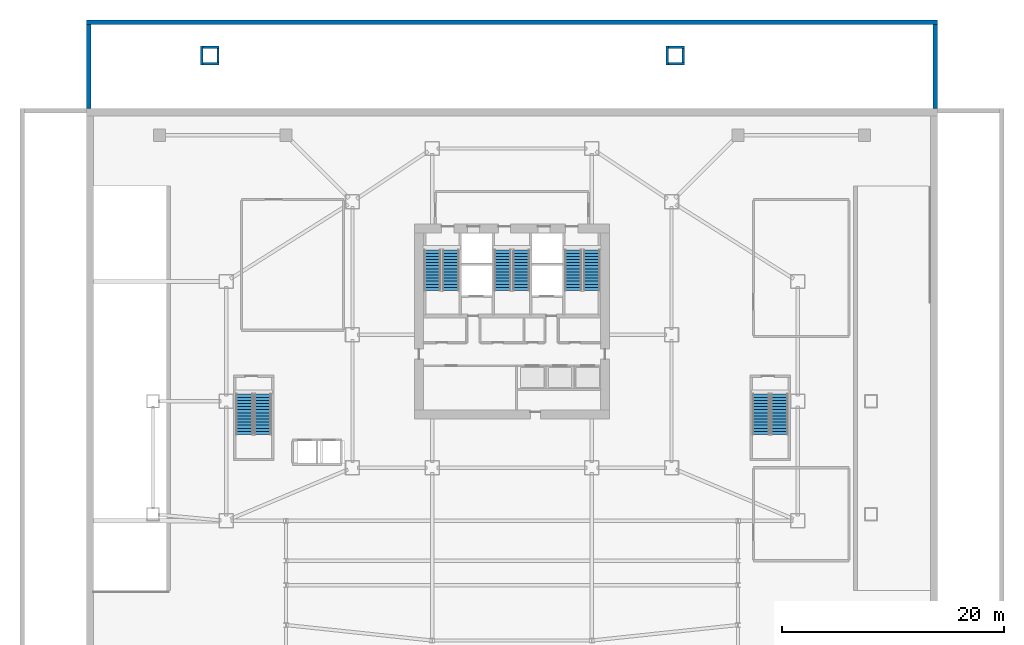
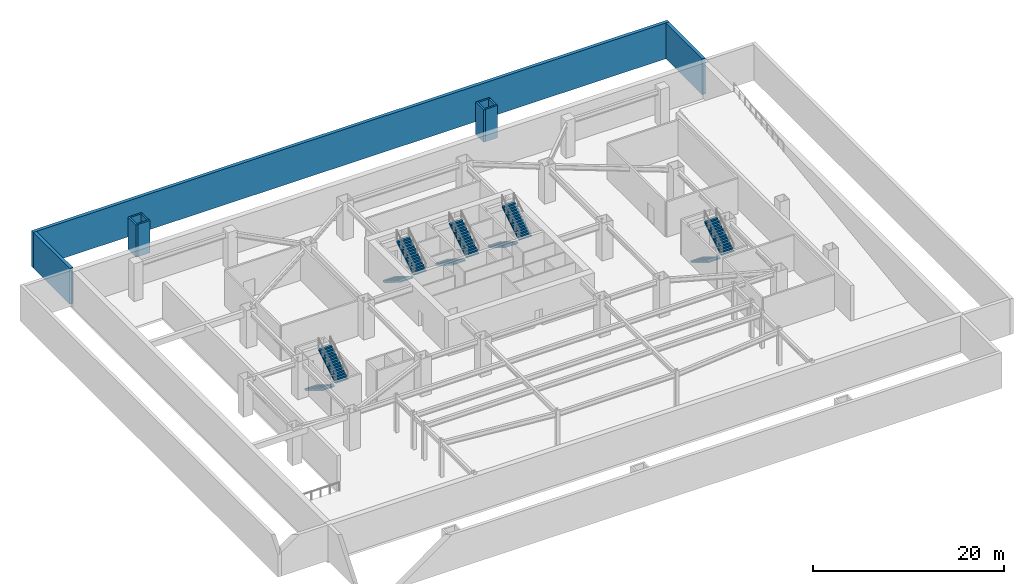
# One storey, part 11 of 15: 11 walls, 10 stair flights, 5 elements without a shape of their own.
"""IFC4 building model written with IfcOpenShell, lengths in metres."""

from ifc_helpers import new_model, si_unit, direction, frame, frame_2d, origin, place, context, subcontext, project, spatial, polyline, rectangle, outline, extrude, material, layer, layer_set, type_object, element, aggregate, save


model = new_model("IFC4")

# Units and contexts
model_context = context("Model", 3, precision=1e-05, world=origin(), true_north=direction((0.0, 1.0)))
body_context = subcontext(model_context, "Body", "Model", "MODEL_VIEW")
ifc_project = project(units=[si_unit("LENGTHUNIT", "METRE"), si_unit("AREAUNIT", "SQUARE_METRE"), si_unit("VOLUMEUNIT", "CUBIC_METRE"), si_unit("PLANEANGLEUNIT", "RADIAN"), si_unit("MASSUNIT", "GRAM", prefix="KILO")], contexts=[model_context])

# Site, building, storey
site_placement = place(None, origin())
site = spatial("IfcSite", under=ifc_project, at=site_placement, CompositionType="ELEMENT")
building_placement = place(site_placement, origin())
building = spatial("IfcBuilding", under=site, at=building_placement, Name="Haolan Belvedere Tower", CompositionType="ELEMENT")
storey_placement = place(building_placement, frame((0.0, 0.0, -4.800048828125)))
storey = spatial("IfcBuildingStorey", under=building, at=storey_placement, Name="B1", CompositionType="ELEMENT", Elevation=-4.800048828125)

# Walls
ifc_material_1 = material(Name="Concrete C50/60", Category="concrete")
ifc_layer_1 = layer(ifc_material_1, 0.39990234375, Name="Concrete C50/60")
ifc_layer_set_1 = layer_set([ifc_layer_1], Name="Concrete C50/60")
wall_type_1 = type_object("IfcWallType", Name="WL-RMP-400", PredefinedType="SOLIDWALL", material=ifc_layer_set_1)
wall_1_placement = place(storey_placement, frame((0.0, 61.800048828125, 0.0), z_axis=(0.0, 0.0, 1.0), x_axis=(1.0, 0.0, 0.0)))
element("IfcWall", 1, at=wall_1_placement, inside=storey, type_object=wall_type_1, Name="B1 apron support wall APW-N-OUT", PredefinedType="SOLIDWALL", context=body_context, shape_type="SweptSolid", body=[
    extrude(rectangle(XDim=76.800048828125, YDim=0.39990234375, at=frame_2d((38.39990234375, 0.0))), origin(), (0.0, 0.0, 1.0), 4.570068359375),
])
for number, where, z_axis, x_axis, name in (
    (2, (0.199951171875, 54.0, 0.0), (0.0, 0.0, 1.0), (0.0, 1.0, 0.0), "B1 apron support wall APW-N-W"),
    (3, (76.60009765625, 54.0, 0.0), (0.0, 0.0, 1.0), (0.0, 1.0, 0.0), "B1 apron support wall APW-N-E"),
):
    element("IfcWall", number, at=place(storey_placement, frame(where, z_axis=z_axis, x_axis=x_axis)), inside=storey, type_object=wall_type_1, Name=name, PredefinedType="SOLIDWALL", context=body_context, shape_type="SweptSolid", body=[
        extrude(rectangle(XDim=7.60009765625, YDim=0.39990234375, at=frame_2d((3.800048828125, 0.0))), origin(), (0.0, 0.0, 1.0), 4.570068359375),
    ])
ifc_layer_2 = layer(ifc_material_1, 0.219970703125, Name="Concrete C50/60")
ifc_layer_set_2 = layer_set([ifc_layer_2], Name="Concrete C50/60")
wall_type_2 = type_object("IfcWallType", Name="WL-STAIR-220", PredefinedType="SHEAR", material=ifc_layer_set_2)
wall_2_placement = place(storey_placement, frame((10.39990234375, 57.93994140625, 0.0), z_axis=(0.0, 0.0, 1.0), x_axis=(0.0, 1.0, 0.0)))
element("IfcWall", 4, at=wall_2_placement, inside=storey, type_object=wall_type_2, Name="North-west concourse step-free accessible ramp AR-3 foundation stem wall B1 W", PredefinedType="SHEAR", context=body_context, shape_type="SweptSolid", body=[
    extrude(rectangle(XDim=1.719970703125, YDim=0.219970703125, at=frame_2d((0.85986328125, 0.0))), origin(), (0.0, 0.0, 1.0), 4.1201171875),
])
for number, where, z_axis, x_axis, name in (
    (5, (10.510009765625, 59.550048828125, 0.0), (0.0, 0.0, 1.0), (1.0, 0.0, 0.0), "North-west concourse step-free accessible ramp AR-3 foundation stem wall B1 N"),
    (6, (10.510009765625, 58.050048828125, 0.0), (0.0, 0.0, 1.0), (1.0, 0.0, 0.0), "North-west concourse step-free accessible ramp AR-3 foundation stem wall B1 S"),
):
    element("IfcWall", number, at=place(storey_placement, frame(where, z_axis=z_axis, x_axis=x_axis)), inside=storey, type_object=wall_type_2, Name=name, PredefinedType="SHEAR", context=body_context, shape_type="SweptSolid", body=[
        extrude(rectangle(XDim=1.469970703125, YDim=0.219970703125, at=frame_2d((0.73486328125, 0.0))), origin(), (0.0, 0.0, 1.0), 4.1201171875),
    ])
wall_3_placement = place(storey_placement, frame((11.8701171875, 58.159912109375, 0.0), z_axis=(0.0, 0.0, 1.0), x_axis=(0.0, 1.0, 0.0)))
element("IfcWall", 7, at=wall_3_placement, inside=storey, type_object=wall_type_2, Name="North-west concourse step-free accessible ramp AR-3 foundation stem wall B1 E", PredefinedType="SHEAR", context=body_context, shape_type="SweptSolid", body=[
    extrude(rectangle(XDim=1.280029296875, YDim=0.219970703125, at=frame_2d((0.64013671875, 0.0))), origin(), (0.0, 0.0, 1.0), 4.1201171875),
])
wall_4_placement = place(storey_placement, frame((52.39990234375, 57.93994140625, 0.0), z_axis=(0.0, 0.0, 1.0), x_axis=(0.0, 1.0, 0.0)))
element("IfcWall", 8, at=wall_4_placement, inside=storey, type_object=wall_type_2, Name="North-east concourse step-free accessible ramp AR-4 foundation stem wall B1 W", PredefinedType="SHEAR", context=body_context, shape_type="SweptSolid", body=[
    extrude(rectangle(XDim=1.719970703125, YDim=0.219970703125, at=frame_2d((0.85986328125, 0.0))), origin(), (0.0, 0.0, 1.0), 4.1201171875),
])
for number, where, z_axis, x_axis, name in (
    (9, (52.510009765625, 59.550048828125, 0.0), (0.0, 0.0, 1.0), (1.0, 0.0, 0.0), "North-east concourse step-free accessible ramp AR-4 foundation stem wall B1 N"),
    (10, (52.510009765625, 58.050048828125, 0.0), (0.0, 0.0, 1.0), (1.0, 0.0, 0.0), "North-east concourse step-free accessible ramp AR-4 foundation stem wall B1 S"),
):
    element("IfcWall", number, at=place(storey_placement, frame(where, z_axis=z_axis, x_axis=x_axis)), inside=storey, type_object=wall_type_2, Name=name, PredefinedType="SHEAR", context=body_context, shape_type="SweptSolid", body=[
        extrude(rectangle(XDim=1.469970703125, YDim=0.219970703125, at=frame_2d((0.73486328125, 0.0))), origin(), (0.0, 0.0, 1.0), 4.1201171875),
    ])
wall_5_placement = place(storey_placement, frame((53.8701171875, 58.159912109375, 0.0), z_axis=(0.0, 0.0, 1.0), x_axis=(0.0, 1.0, 0.0)))
element("IfcWall", 11, at=wall_5_placement, inside=storey, type_object=wall_type_2, Name="North-east concourse step-free accessible ramp AR-4 foundation stem wall B1 E", PredefinedType="SHEAR", context=body_context, shape_type="SweptSolid", body=[
    extrude(rectangle(XDim=1.280029296875, YDim=0.219970703125, at=frame_2d((0.64013671875, 0.0))), origin(), (0.0, 0.0, 1.0), 4.1201171875),
])

# Stair, stair flights
ifc_material_2 = material(Name="Concrete C40/50", Category="concrete")
stair_type = type_object("IfcStairType", Name="STR-DL-28R-171", PredefinedType="HALF_TURN_STAIR", material=ifc_material_2)
stair_1_placement = place(storey_placement, origin())
stair_1 = element("IfcStair", 12, at=stair_1_placement, inside=storey, type_object=stair_type, Name="B1 Smokeproof Core Exit Stair ST1", PredefinedType="HALF_TURN_STAIR")
stair_flight_type = type_object("IfcStairFlightType", Name="SFL-DL-14R-171", PredefinedType="STRAIGHT", material=ifc_material_2)
stair_flight_1_placement = place(storey_placement, frame((31.2099609375, 41.22998046875, 0.0), z_axis=(0.0, 0.0, 1.0), x_axis=(0.0, -1.0, 0.0)))
stair_flight_1 = element("IfcStairFlight", 13, at=stair_flight_1_placement, type_object=stair_flight_type, Name="ST1 flight 1", NumberOfRisers=14, NumberOfTreads=13, PredefinedType="STRAIGHT", RiserHeight=0.171428571, TreadLength=0.28, context=body_context, shape_type="SweptSolid", body=[
    extrude(outline(polyline([(0.0, 0.0), (0.0, 0.17138671875), (0.280029296875, 0.17138671875), (0.280029296875, 0.3427734375), (0.56005859375, 0.3427734375), (0.56005859375, 0.514404296875), (0.840087890625, 0.514404296875), (0.840087890625, 0.685791015625), (1.1201171875, 0.685791015625), (1.1201171875, 0.857177734375), (1.39990234375, 0.857177734375), (1.39990234375, 1.028564453125), (1.679931640625, 1.028564453125), (1.679931640625, 1.199951171875), (1.9599609375, 1.199951171875), (1.9599609375, 1.371337890625), (2.239990234375, 1.371337890625), (2.239990234375, 1.54296875), (2.52001953125, 1.54296875), (2.52001953125, 1.71435546875), (2.800048828125, 1.71435546875), (2.800048828125, 1.8857421875), (3.080078125, 1.8857421875), (3.080078125, 2.05712890625), (3.360107421875, 2.05712890625), (3.360107421875, 2.228515625), (3.639892578125, 2.228515625), (3.639892578125, 2.39990234375), (3.639892578125, 2.052734375), (0.287109375, 0.0), (0.0, 0.0)])), frame((0.0, 0.760009765625, 0.0), z_axis=(0.0, -1.0, 0.0), x_axis=(1.0, 0.0, 0.0)), (0.0, 0.0, 1.0), 1.52001953125),
])
stair_flight_2_placement = place(storey_placement, frame((32.8701171875, 37.590087890625, 2.400146484375), z_axis=(0.0, 0.0, 1.0), x_axis=(0.0, 1.0, 0.0)))
stair_flight_2 = element("IfcStairFlight", 14, at=stair_flight_2_placement, type_object=stair_flight_type, Name="ST1 flight 2", NumberOfRisers=14, NumberOfTreads=13, PredefinedType="STRAIGHT", RiserHeight=0.171428571, TreadLength=0.28, context=body_context, shape_type="SweptSolid", body=[
    extrude(outline(polyline([(0.0, 0.0), (0.0, 0.17138671875), (0.280029296875, 0.17138671875), (0.280029296875, 0.3427734375), (0.56005859375, 0.3427734375), (0.56005859375, 0.514404296875), (0.840087890625, 0.514404296875), (0.840087890625, 0.685791015625), (1.1201171875, 0.685791015625), (1.1201171875, 0.857177734375), (1.39990234375, 0.857177734375), (1.39990234375, 1.028564453125), (1.679931640625, 1.028564453125), (1.679931640625, 1.199951171875), (1.9599609375, 1.199951171875), (1.9599609375, 1.371337890625), (2.239990234375, 1.371337890625), (2.239990234375, 1.54296875), (2.52001953125, 1.54296875), (2.52001953125, 1.71435546875), (2.800048828125, 1.71435546875), (2.800048828125, 1.8857421875), (3.080078125, 1.8857421875), (3.080078125, 2.05712890625), (3.360107421875, 2.05712890625), (3.360107421875, 2.228515625), (3.639892578125, 2.228515625), (3.639892578125, 2.39990234375), (3.639892578125, 2.052734375), (0.287109375, 0.0), (0.0, 0.0)])), frame((0.0, 0.760009765625, 0.0), z_axis=(0.0, -1.0, 0.0), x_axis=(1.0, 0.0, 0.0)), (0.0, 0.0, 1.0), 1.52001953125),
])
aggregate(stair_1, [stair_flight_1, stair_flight_2])

stair_2_placement = place(storey_placement, origin())
stair_2 = element("IfcStair", 15, at=stair_2_placement, inside=storey, type_object=stair_type, Name="B1 Smokeproof Core Exit Stair ST3", PredefinedType="HALF_TURN_STAIR")
stair_flight_3_placement = place(storey_placement, frame((37.570068359375, 41.22998046875, 0.0), z_axis=(0.0, 0.0, 1.0), x_axis=(0.0, -1.0, 0.0)))
stair_flight_3 = element("IfcStairFlight", 16, at=stair_flight_3_placement, type_object=stair_flight_type, Name="ST3 flight 1", NumberOfRisers=14, NumberOfTreads=13, PredefinedType="STRAIGHT", RiserHeight=0.171428571, TreadLength=0.28, context=body_context, shape_type="SweptSolid", body=[
    extrude(outline(polyline([(0.0, 0.0), (0.0, 0.17138671875), (0.280029296875, 0.17138671875), (0.280029296875, 0.3427734375), (0.56005859375, 0.3427734375), (0.56005859375, 0.514404296875), (0.840087890625, 0.514404296875), (0.840087890625, 0.685791015625), (1.1201171875, 0.685791015625), (1.1201171875, 0.857177734375), (1.39990234375, 0.857177734375), (1.39990234375, 1.028564453125), (1.679931640625, 1.028564453125), (1.679931640625, 1.199951171875), (1.9599609375, 1.199951171875), (1.9599609375, 1.371337890625), (2.239990234375, 1.371337890625), (2.239990234375, 1.54296875), (2.52001953125, 1.54296875), (2.52001953125, 1.71435546875), (2.800048828125, 1.71435546875), (2.800048828125, 1.8857421875), (3.080078125, 1.8857421875), (3.080078125, 2.05712890625), (3.360107421875, 2.05712890625), (3.360107421875, 2.228515625), (3.639892578125, 2.228515625), (3.639892578125, 2.39990234375), (3.639892578125, 2.052734375), (0.287109375, 0.0), (0.0, 0.0)])), frame((0.0, 0.760009765625, 0.0), z_axis=(0.0, -1.0, 0.0), x_axis=(1.0, 0.0, 0.0)), (0.0, 0.0, 1.0), 1.52001953125),
])
stair_flight_4_placement = place(storey_placement, frame((39.22998046875, 37.590087890625, 2.400146484375), z_axis=(0.0, 0.0, 1.0), x_axis=(0.0, 1.0, 0.0)))
stair_flight_4 = element("IfcStairFlight", 17, at=stair_flight_4_placement, type_object=stair_flight_type, Name="ST3 flight 2", NumberOfRisers=14, NumberOfTreads=13, PredefinedType="STRAIGHT", RiserHeight=0.171428571, TreadLength=0.28, context=body_context, shape_type="SweptSolid", body=[
    extrude(outline(polyline([(0.0, 0.0), (0.0, 0.17138671875), (0.280029296875, 0.17138671875), (0.280029296875, 0.3427734375), (0.56005859375, 0.3427734375), (0.56005859375, 0.514404296875), (0.840087890625, 0.514404296875), (0.840087890625, 0.685791015625), (1.1201171875, 0.685791015625), (1.1201171875, 0.857177734375), (1.39990234375, 0.857177734375), (1.39990234375, 1.028564453125), (1.679931640625, 1.028564453125), (1.679931640625, 1.199951171875), (1.9599609375, 1.199951171875), (1.9599609375, 1.371337890625), (2.239990234375, 1.371337890625), (2.239990234375, 1.54296875), (2.52001953125, 1.54296875), (2.52001953125, 1.71435546875), (2.800048828125, 1.71435546875), (2.800048828125, 1.8857421875), (3.080078125, 1.8857421875), (3.080078125, 2.05712890625), (3.360107421875, 2.05712890625), (3.360107421875, 2.228515625), (3.639892578125, 2.228515625), (3.639892578125, 2.39990234375), (3.639892578125, 2.052734375), (0.287109375, 0.0), (0.0, 0.0)])), frame((0.0, 0.760009765625, 0.0), z_axis=(0.0, -1.0, 0.0), x_axis=(1.0, 0.0, 0.0)), (0.0, 0.0, 1.0), 1.52001953125),
])
aggregate(stair_2, [stair_flight_3, stair_flight_4])

stair_3_placement = place(storey_placement, origin())
stair_3 = element("IfcStair", 18, at=stair_3_placement, inside=storey, type_object=stair_type, Name="B1 Smokeproof Core Exit Stair ST2", PredefinedType="HALF_TURN_STAIR")
stair_flight_5_placement = place(storey_placement, frame((43.929931640625, 41.22998046875, 0.0), z_axis=(0.0, 0.0, 1.0), x_axis=(0.0, -1.0, 0.0)))
stair_flight_5 = element("IfcStairFlight", 19, at=stair_flight_5_placement, type_object=stair_flight_type, Name="ST2 flight 1", NumberOfRisers=14, NumberOfTreads=13, PredefinedType="STRAIGHT", RiserHeight=0.171428571, TreadLength=0.28, context=body_context, shape_type="SweptSolid", body=[
    extrude(outline(polyline([(0.0, 0.0), (0.0, 0.17138671875), (0.280029296875, 0.17138671875), (0.280029296875, 0.3427734375), (0.56005859375, 0.3427734375), (0.56005859375, 0.514404296875), (0.840087890625, 0.514404296875), (0.840087890625, 0.685791015625), (1.1201171875, 0.685791015625), (1.1201171875, 0.857177734375), (1.39990234375, 0.857177734375), (1.39990234375, 1.028564453125), (1.679931640625, 1.028564453125), (1.679931640625, 1.199951171875), (1.9599609375, 1.199951171875), (1.9599609375, 1.371337890625), (2.239990234375, 1.371337890625), (2.239990234375, 1.54296875), (2.52001953125, 1.54296875), (2.52001953125, 1.71435546875), (2.800048828125, 1.71435546875), (2.800048828125, 1.8857421875), (3.080078125, 1.8857421875), (3.080078125, 2.05712890625), (3.360107421875, 2.05712890625), (3.360107421875, 2.228515625), (3.639892578125, 2.228515625), (3.639892578125, 2.39990234375), (3.639892578125, 2.052734375), (0.287109375, 0.0), (0.0, 0.0)])), frame((0.0, 0.760009765625, 0.0), z_axis=(0.0, -1.0, 0.0), x_axis=(1.0, 0.0, 0.0)), (0.0, 0.0, 1.0), 1.52001953125),
])
stair_flight_6_placement = place(storey_placement, frame((45.590087890625, 37.590087890625, 2.400146484375), z_axis=(0.0, 0.0, 1.0), x_axis=(0.0, 1.0, 0.0)))
stair_flight_6 = element("IfcStairFlight", 20, at=stair_flight_6_placement, type_object=stair_flight_type, Name="ST2 flight 2", NumberOfRisers=14, NumberOfTreads=13, PredefinedType="STRAIGHT", RiserHeight=0.171428571, TreadLength=0.28, context=body_context, shape_type="SweptSolid", body=[
    extrude(outline(polyline([(0.0, 0.0), (0.0, 0.17138671875), (0.280029296875, 0.17138671875), (0.280029296875, 0.3427734375), (0.56005859375, 0.3427734375), (0.56005859375, 0.514404296875), (0.840087890625, 0.514404296875), (0.840087890625, 0.685791015625), (1.1201171875, 0.685791015625), (1.1201171875, 0.857177734375), (1.39990234375, 0.857177734375), (1.39990234375, 1.028564453125), (1.679931640625, 1.028564453125), (1.679931640625, 1.199951171875), (1.9599609375, 1.199951171875), (1.9599609375, 1.371337890625), (2.239990234375, 1.371337890625), (2.239990234375, 1.54296875), (2.52001953125, 1.54296875), (2.52001953125, 1.71435546875), (2.800048828125, 1.71435546875), (2.800048828125, 1.8857421875), (3.080078125, 1.8857421875), (3.080078125, 2.05712890625), (3.360107421875, 2.05712890625), (3.360107421875, 2.228515625), (3.639892578125, 2.228515625), (3.639892578125, 2.39990234375), (3.639892578125, 2.052734375), (0.287109375, 0.0), (0.0, 0.0)])), frame((0.0, 0.760009765625, 0.0), z_axis=(0.0, -1.0, 0.0), x_axis=(1.0, 0.0, 0.0)), (0.0, 0.0, 1.0), 1.52001953125),
])
aggregate(stair_3, [stair_flight_5, stair_flight_6])

stair_4_placement = place(storey_placement, origin())
stair_4 = element("IfcStair", 21, at=stair_4_placement, inside=storey, type_object=stair_type, Name="B1 West Podium Protected Exit Stair ST4", PredefinedType="HALF_TURN_STAIR")
stair_flight_7_placement = place(storey_placement, frame((14.260009765625, 28.22998046875, 0.0), z_axis=(0.0, 0.0, 1.0), x_axis=(0.0, -1.0, 0.0)))
stair_flight_7 = element("IfcStairFlight", 22, at=stair_flight_7_placement, type_object=stair_flight_type, Name="ST4 flight 1", NumberOfRisers=14, NumberOfTreads=13, PredefinedType="STRAIGHT", RiserHeight=0.171428571, TreadLength=0.28, context=body_context, shape_type="SweptSolid", body=[
    extrude(outline(polyline([(0.0, 0.0), (0.0, 0.17138671875), (0.280029296875, 0.17138671875), (0.280029296875, 0.3427734375), (0.56005859375, 0.3427734375), (0.56005859375, 0.514404296875), (0.840087890625, 0.514404296875), (0.840087890625, 0.685791015625), (1.1201171875, 0.685791015625), (1.1201171875, 0.857177734375), (1.39990234375, 0.857177734375), (1.39990234375, 1.028564453125), (1.679931640625, 1.028564453125), (1.679931640625, 1.199951171875), (1.9599609375, 1.199951171875), (1.9599609375, 1.371337890625), (2.239990234375, 1.371337890625), (2.239990234375, 1.54296875), (2.52001953125, 1.54296875), (2.52001953125, 1.71435546875), (2.800048828125, 1.71435546875), (2.800048828125, 1.8857421875), (3.080078125, 1.8857421875), (3.080078125, 2.05712890625), (3.360107421875, 2.05712890625), (3.360107421875, 2.228515625), (3.639892578125, 2.228515625), (3.639892578125, 2.39990234375), (3.639892578125, 2.052734375), (0.287109375, 0.0), (0.0, 0.0)])), frame((0.0, 0.760009765625, 0.0), z_axis=(0.0, -1.0, 0.0), x_axis=(1.0, 0.0, 0.0)), (0.0, 0.0, 1.0), 1.52001953125),
])
stair_flight_8_placement = place(storey_placement, frame((15.919921875, 24.590087890625, 2.400146484375), z_axis=(0.0, 0.0, 1.0), x_axis=(0.0, 1.0, 0.0)))
stair_flight_8 = element("IfcStairFlight", 23, at=stair_flight_8_placement, type_object=stair_flight_type, Name="ST4 flight 2", NumberOfRisers=14, NumberOfTreads=13, PredefinedType="STRAIGHT", RiserHeight=0.171428571, TreadLength=0.28, context=body_context, shape_type="SweptSolid", body=[
    extrude(outline(polyline([(0.0, 0.0), (0.0, 0.17138671875), (0.280029296875, 0.17138671875), (0.280029296875, 0.3427734375), (0.56005859375, 0.3427734375), (0.56005859375, 0.514404296875), (0.840087890625, 0.514404296875), (0.840087890625, 0.685791015625), (1.1201171875, 0.685791015625), (1.1201171875, 0.857177734375), (1.39990234375, 0.857177734375), (1.39990234375, 1.028564453125), (1.679931640625, 1.028564453125), (1.679931640625, 1.199951171875), (1.9599609375, 1.199951171875), (1.9599609375, 1.371337890625), (2.239990234375, 1.371337890625), (2.239990234375, 1.54296875), (2.52001953125, 1.54296875), (2.52001953125, 1.71435546875), (2.800048828125, 1.71435546875), (2.800048828125, 1.8857421875), (3.080078125, 1.8857421875), (3.080078125, 2.05712890625), (3.360107421875, 2.05712890625), (3.360107421875, 2.228515625), (3.639892578125, 2.228515625), (3.639892578125, 2.39990234375), (3.639892578125, 2.052734375), (0.287109375, 0.0), (0.0, 0.0)])), frame((0.0, 0.760009765625, 0.0), z_axis=(0.0, -1.0, 0.0), x_axis=(1.0, 0.0, 0.0)), (0.0, 0.0, 1.0), 1.52001953125),
])
aggregate(stair_4, [stair_flight_7, stair_flight_8])

stair_5_placement = place(storey_placement, origin())
stair_5 = element("IfcStair", 24, at=stair_5_placement, inside=storey, type_object=stair_type, Name="B1 East Podium Protected Exit Stair ST5", PredefinedType="HALF_TURN_STAIR")
stair_flight_9_placement = place(storey_placement, frame((60.8798828125, 28.22998046875, 0.0), z_axis=(0.0, 0.0, 1.0), x_axis=(0.0, -1.0, 0.0)))
stair_flight_9 = element("IfcStairFlight", 25, at=stair_flight_9_placement, type_object=stair_flight_type, Name="ST5 flight 1", NumberOfRisers=14, NumberOfTreads=13, PredefinedType="STRAIGHT", RiserHeight=0.171428571, TreadLength=0.28, context=body_context, shape_type="SweptSolid", body=[
    extrude(outline(polyline([(0.0, 0.0), (0.0, 0.17138671875), (0.280029296875, 0.17138671875), (0.280029296875, 0.3427734375), (0.56005859375, 0.3427734375), (0.56005859375, 0.514404296875), (0.840087890625, 0.514404296875), (0.840087890625, 0.685791015625), (1.1201171875, 0.685791015625), (1.1201171875, 0.857177734375), (1.39990234375, 0.857177734375), (1.39990234375, 1.028564453125), (1.679931640625, 1.028564453125), (1.679931640625, 1.199951171875), (1.9599609375, 1.199951171875), (1.9599609375, 1.371337890625), (2.239990234375, 1.371337890625), (2.239990234375, 1.54296875), (2.52001953125, 1.54296875), (2.52001953125, 1.71435546875), (2.800048828125, 1.71435546875), (2.800048828125, 1.8857421875), (3.080078125, 1.8857421875), (3.080078125, 2.05712890625), (3.360107421875, 2.05712890625), (3.360107421875, 2.228515625), (3.639892578125, 2.228515625), (3.639892578125, 2.39990234375), (3.639892578125, 2.052734375), (0.287109375, 0.0), (0.0, 0.0)])), frame((0.0, 0.760009765625, 0.0), z_axis=(0.0, -1.0, 0.0), x_axis=(1.0, 0.0, 0.0)), (0.0, 0.0, 1.0), 1.52001953125),
])
stair_flight_10_placement = place(storey_placement, frame((62.5400390625, 24.590087890625, 2.400146484375), z_axis=(0.0, 0.0, 1.0), x_axis=(0.0, 1.0, 0.0)))
stair_flight_10 = element("IfcStairFlight", 26, at=stair_flight_10_placement, type_object=stair_flight_type, Name="ST5 flight 2", NumberOfRisers=14, NumberOfTreads=13, PredefinedType="STRAIGHT", RiserHeight=0.171428571, TreadLength=0.28, context=body_context, shape_type="SweptSolid", body=[
    extrude(outline(polyline([(0.0, 0.0), (0.0, 0.17138671875), (0.280029296875, 0.17138671875), (0.280029296875, 0.3427734375), (0.56005859375, 0.3427734375), (0.56005859375, 0.514404296875), (0.840087890625, 0.514404296875), (0.840087890625, 0.685791015625), (1.1201171875, 0.685791015625), (1.1201171875, 0.857177734375), (1.39990234375, 0.857177734375), (1.39990234375, 1.028564453125), (1.679931640625, 1.028564453125), (1.679931640625, 1.199951171875), (1.9599609375, 1.199951171875), (1.9599609375, 1.371337890625), (2.239990234375, 1.371337890625), (2.239990234375, 1.54296875), (2.52001953125, 1.54296875), (2.52001953125, 1.71435546875), (2.800048828125, 1.71435546875), (2.800048828125, 1.8857421875), (3.080078125, 1.8857421875), (3.080078125, 2.05712890625), (3.360107421875, 2.05712890625), (3.360107421875, 2.228515625), (3.639892578125, 2.228515625), (3.639892578125, 2.39990234375), (3.639892578125, 2.052734375), (0.287109375, 0.0), (0.0, 0.0)])), frame((0.0, 0.760009765625, 0.0), z_axis=(0.0, -1.0, 0.0), x_axis=(1.0, 0.0, 0.0)), (0.0, 0.0, 1.0), 1.52001953125),
])
aggregate(stair_5, [stair_flight_9, stair_flight_10])

save(model, "model.ifc")
